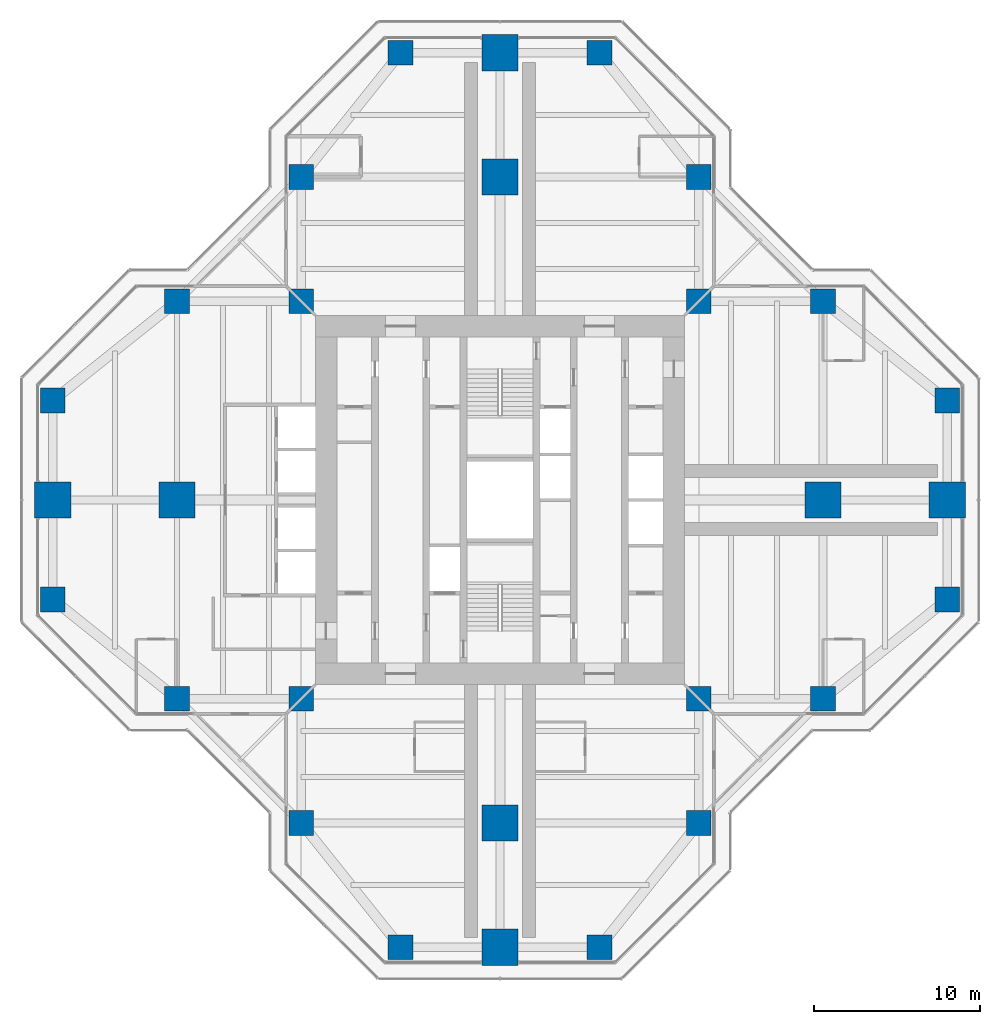
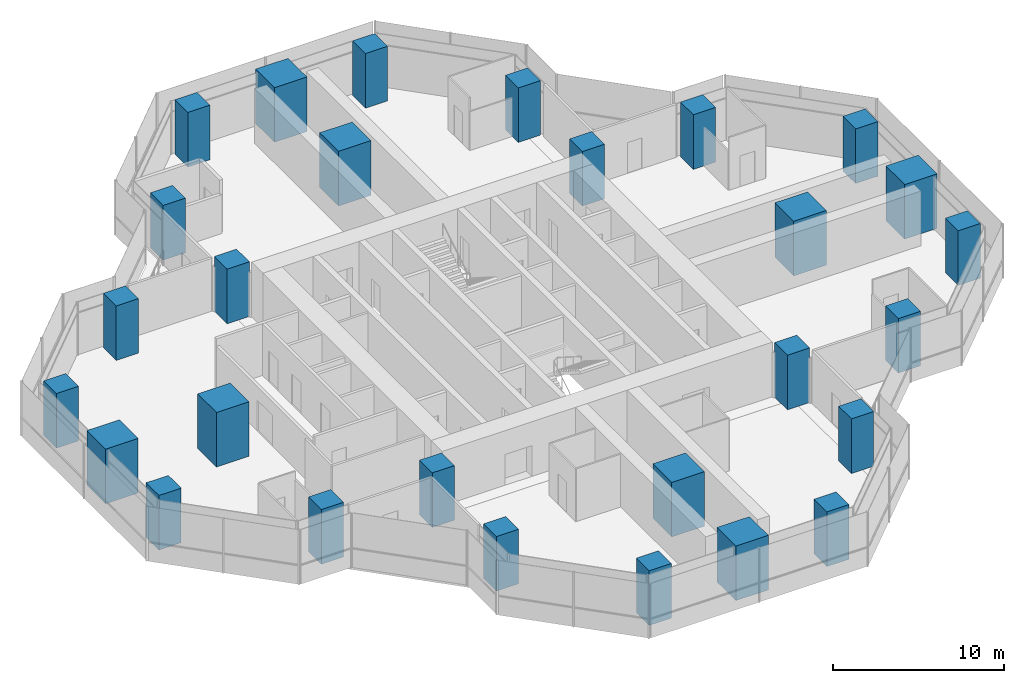
# One storey, part 1 of 17: 28 columns.
"""IFC4 building model written with IfcOpenShell, lengths in metres."""

import ifcopenshell
import ifcopenshell.guid

model = None  # the IFC model being written
_history = None  # IfcOwnerHistory: only IFC2X3 demands one
_inside = {}  # id of a spatial element -> (the spatial element, [elements in it])
_under = {}  # id of a project, library or spatial element -> (it, [spatial elements below it])
_declared = {}  # id of a project -> (the project, [libraries it declares])
_typed = {}  # id of a type object -> (the type object, [elements of that type])
_made_of = {}  # id of a material, layer set ... -> (it, [elements and type objects made of it])


def new_model(schema):
    """Start an empty IFC model of exactly this schema.

    Asked for "IFC4X3", IfcOpenShell would pick the latest addendum, in which some entities
    have other attributes; the version numbers below select the first issue.
    IFC2X3 requires an IfcOwnerHistory on every rooted entity: one is made here for all.
    """
    global model, _history
    if schema == "IFC4X3":
        model = ifcopenshell.file(schema_version=(4, 3, 0, 0))
    else:
        model = ifcopenshell.file(schema=schema)
    _inside.clear()
    _under.clear()
    _declared.clear()
    _typed.clear()
    _made_of.clear()
    _history = None
    if model.schema == "IFC2X3":
        org = make("IfcOrganization", Name="unknown")
        user = make(
            "IfcPersonAndOrganization",
            ThePerson=make("IfcPerson", FamilyName="unknown"),
            TheOrganization=org,
        )
        app = make(
            "IfcApplication",
            ApplicationDeveloper=org,
            Version="unknown",
            ApplicationFullName="unknown",
            ApplicationIdentifier="unknown",
        )
        _history = make(
            "IfcOwnerHistory",
            OwningUser=user,
            OwningApplication=app,
            ChangeAction="ADDED",
            CreationDate=0,
        )
    return model


def make(cls, **values):
    """One entity of the class cls with the attributes given. An attribute that is None is left unset."""
    return model.create_entity(
        cls, **{name: value for name, value in values.items() if value is not None}
    )


def rooted(cls, **values):
    """An entity with a GlobalId (a new one), such as an element, a storey or a relation."""
    return make(cls, GlobalId=ifcopenshell.guid.new(), OwnerHistory=_history, **values)


def si_unit(unit_type, name, prefix=None):
    """IfcSIUnit, for example si_unit("LENGTHUNIT", "METRE", prefix="MILLI")."""
    return make("IfcSIUnit", UnitType=unit_type, Prefix=prefix, Name=name)


def assignment(units):
    """IfcUnitAssignment: the units of a project."""
    return None if units is None else make("IfcUnitAssignment", Units=units)


def point(xyz):
    """IfcCartesianPoint."""
    return None if xyz is None else make("IfcCartesianPoint", Coordinates=xyz)


def direction(xyz):
    """IfcDirection."""
    return None if xyz is None else make("IfcDirection", DirectionRatios=xyz)


def frame(location, z_axis=None, x_axis=None):
    """IfcAxis2Placement3D, a coordinate frame: its origin and axes. An axis left out is left unset."""
    return make(
        "IfcAxis2Placement3D",
        Location=point(location),
        Axis=direction(z_axis),
        RefDirection=direction(x_axis),
    )


def frame_2d(location, x_axis=None):
    """IfcAxis2Placement2D, a coordinate frame in the plane: its origin and x axis."""
    return make(
        "IfcAxis2Placement2D", Location=point(location), RefDirection=direction(x_axis)
    )


def origin():
    """The frame at (0, 0, 0) with its axes left unset."""
    return frame((0.0, 0.0, 0.0))


def origin_2d():
    """The frame at (0, 0) in the plane with its x axis left unset."""
    return frame_2d((0.0, 0.0))


def place(relative_to, where):
    """IfcLocalPlacement: puts the frame where relative to a parent placement (None: the world)."""
    return make(
        "IfcLocalPlacement", PlacementRelTo=relative_to, RelativePlacement=where
    )


def context(
    kind, dimensions, precision=None, world=None, true_north=None, identifier=None
):
    """IfcGeometricRepresentationContext, for example the 3D "Model" context."""
    return make(
        "IfcGeometricRepresentationContext",
        ContextIdentifier=identifier,
        ContextType=kind,
        CoordinateSpaceDimension=dimensions,
        Precision=precision,
        WorldCoordinateSystem=world,
        TrueNorth=true_north,
    )


def subcontext(parent, identifier, kind, view, scale=None):
    """IfcGeometricRepresentationSubContext, for example "Body" below "Model"."""
    return make(
        "IfcGeometricRepresentationSubContext",
        ContextIdentifier=identifier,
        ContextType=kind,
        ParentContext=parent,
        TargetScale=scale,
        TargetView=view,
    )


def project(units=None, contexts=None):
    """IfcProject with its units and contexts."""
    return rooted(
        "IfcProject",
        Name="project",
        RepresentationContexts=contexts,
        UnitsInContext=assignment(units),
    )


def spatial(cls, under=None, at=None, **own):
    """A site, building, storey or space (cls), placed at a placement, below another one or the project."""
    s = rooted(cls, ObjectPlacement=at, **own)
    if under is not None:
        _under.setdefault(under.id(), (under, []))[1].append(s)
    return s


def profile(cls, at=None, kind="AREA", **sizes):
    """A parametric profile (cls). Its sizes go by their IFC names, for example OverallWidth=200.0."""
    return make(cls, ProfileType=kind, Position=at, **sizes)


def rectangle(**sizes):
    """IfcRectangleProfileDef."""
    return profile("IfcRectangleProfileDef", **sizes)


def extrude(swept, where, along, depth):
    """IfcExtrudedAreaSolid: the profile swept, set in the frame where, extruded along a direction by depth."""
    return make(
        "IfcExtrudedAreaSolid",
        SweptArea=swept,
        Position=where,
        ExtrudedDirection=direction(along),
        Depth=depth,
    )


def shape(context_of_items, identifier, shape_type, items):
    """IfcShapeRepresentation: the items that make up one representation, for example the "Body"."""
    return make(
        "IfcShapeRepresentation",
        ContextOfItems=context_of_items,
        RepresentationIdentifier=identifier,
        RepresentationType=shape_type,
        Items=items,
    )


def material(Name=None, Category=None):
    """IfcMaterial."""
    return make("IfcMaterial", Name=Name, Category=Category)


def material_profile(
    of_material, cross_section, Name=None, Category=None, Priority=None
):
    """IfcMaterialProfile: a cross section and its material."""
    return make(
        "IfcMaterialProfile",
        Name=Name,
        Material=of_material,
        Profile=cross_section,
        Priority=Priority,
        Category=Category,
    )


def profile_set(profiles, Name=None, composite=None):
    """IfcMaterialProfileSet."""
    return make(
        "IfcMaterialProfileSet",
        Name=Name,
        MaterialProfiles=profiles,
        CompositeProfile=composite,
    )


def made_of(thing, what):
    """Note that an element or type object is made of a material, layer set ...; save() writes the relation."""
    if what is not None:
        _made_of.setdefault(what.id(), (what, []))[1].append(thing)
    return thing


def type_object(cls, material=None, **own):
    """A type object (cls), such as IfcWallType, which elements share."""
    return made_of(rooted(cls, **own), material)


def element(
    cls,
    number,
    at=None,
    inside=None,
    cuts=None,
    type_object=None,
    material=None,
    context=None,
    identifier="Body",
    shape_type=None,
    held_by="IfcProductDefinitionShape",
    body=None,
    shapes=None,
    **own,
):
    """One element of the class cls, such as IfcWall. Its Tag is "e" and its number.

    at: its placement. inside: the storey or other place that contains it. cuts: it is an
    opening in that element (IfcRelVoidsElement). A single representation is given by context,
    identifier, shape_type and body (its items); several are given by shapes. held_by: the class
    of the entity that holds the representations. save() writes the other relations.
    """
    e = rooted(cls, Tag="e%d" % number, ObjectPlacement=at, **own)
    if body is not None:
        shapes = [shape(context, identifier, shape_type, body)]
    if shapes is not None:
        e.Representation = make(held_by, Representations=shapes)
    if inside is not None:
        _inside.setdefault(inside.id(), (inside, []))[1].append(e)
    if cuts is not None:
        rooted(
            "IfcRelVoidsElement", RelatingBuildingElement=cuts, RelatedOpeningElement=e
        )
    if type_object is not None:
        _typed.setdefault(type_object.id(), (type_object, []))[1].append(e)
    return made_of(e, material)


def aggregate(whole, parts):
    """IfcRelAggregates: a whole, such as a stair, and the parts it consists of."""
    return rooted("IfcRelAggregates", RelatingObject=whole, RelatedObjects=parts)


def save(model, path):
    """Write the relations noted so far, then the file.

    IfcRelAggregates (storeys below a building ...), IfcRelContainedInSpatialStructure (elements
    in a storey), IfcRelDefinesByType, IfcRelAssociatesMaterial and IfcRelDeclares: one each for
    every whole, place, type object, material and project.
    """
    for whole, parts in _under.values():
        aggregate(whole, parts)
    for where, things in _inside.values():
        rooted(
            "IfcRelContainedInSpatialStructure",
            RelatedElements=things,
            RelatingStructure=where,
        )
    for kind, things in _typed.values():
        rooted("IfcRelDefinesByType", RelatedObjects=things, RelatingType=kind)
    for what, things in _made_of.values():
        rooted("IfcRelAssociatesMaterial", RelatedObjects=things, RelatingMaterial=what)
    for by, libraries in _declared.values():
        rooted("IfcRelDeclares", RelatingContext=by, RelatedDefinitions=libraries)
    model.write(path)


model = new_model("IFC4")

# Units and contexts
model_context = context("Model", 3, precision=1e-05, world=origin(), true_north=direction((0.0, 1.0)))
body_context = subcontext(model_context, "Body", "Model", "MODEL_VIEW")
ifc_project = project(units=[si_unit("LENGTHUNIT", "METRE"), si_unit("AREAUNIT", "SQUARE_METRE"), si_unit("VOLUMEUNIT", "CUBIC_METRE"), si_unit("PLANEANGLEUNIT", "RADIAN"), si_unit("MASSUNIT", "GRAM", prefix="KILO")], contexts=[model_context])

# Site, building, storey
site_placement = place(None, origin())
site = spatial("IfcSite", under=ifc_project, at=site_placement, CompositionType="ELEMENT")
building_placement = place(site_placement, origin())
building = spatial("IfcBuilding", under=site, at=building_placement, Name="Mizan Broadcast Tower", CompositionType="ELEMENT")
storey_placement = place(building_placement, frame((0.0, 0.0, 251.699951171875)))
storey = spatial("IfcBuildingStorey", under=building, at=storey_placement, Name="L59", CompositionType="ELEMENT", Elevation=251.699951171875)

# Columns
ifc_material_1 = material(Name="Concrete C70/85", Category="concrete")
ifc_material_profile_1 = material_profile(ifc_material_1, rectangle(XDim=1.5, YDim=1.5, at=origin_2d()), Name="RC 1500x1500")
ifc_profile_set_1 = profile_set([ifc_material_profile_1], Name="Concrete C70/85")
column_type_1 = type_object("IfcColumnType", Name="RC COLUMN 1500x1500 C70/85", PredefinedType="COLUMN", material=ifc_profile_set_1)
for number, where, z_axis, x_axis, name in (
    (1, (-6.0, -27.0, 0.0), (0.0, 0.0, 1.0), (1.0, 0.0, 0.0), "Column 5/B L59"),
    (2, (6.0, -27.0, 0.0), (0.0, 0.0, 1.0), (1.0, 0.0, 0.0), "Column 7/B L59"),
    (3, (-12.0, -19.5, 0.0), (0.0, 0.0, 1.0), (1.0, 0.0, 0.0), "Column 4/C L59"),
    (4, (12.0, -19.5, 0.0), (0.0, 0.0, 1.0), (1.0, 0.0, 0.0), "Column 8/C L59"),
    (5, (-19.5, -12.0, 0.0), (0.0, 0.0, 1.0), (1.0, 0.0, 0.0), "Column 3/D L59"),
    (6, (-12.0, -12.0, 0.0), (0.0, 0.0, 1.0), (1.0, 0.0, 0.0), "Column 4/D L59"),
    (7, (12.0, -12.0, 0.0), (0.0, 0.0, 1.0), (1.0, 0.0, 0.0), "Column 8/D L59"),
    (8, (19.5, -12.0, 0.0), (0.0, 0.0, 1.0), (1.0, 0.0, 0.0), "Column 9/D L59"),
    (9, (-27.0, -6.0, 0.0), (0.0, 0.0, 1.0), (1.0, 0.0, 0.0), "Column 2/E L59"),
    (10, (27.0, -6.0, 0.0), (0.0, 0.0, 1.0), (1.0, 0.0, 0.0), "Column 10/E L59"),
    (11, (-27.0, 6.0, 0.0), (0.0, 0.0, 1.0), (1.0, 0.0, 0.0), "Column 2/G L59"),
    (12, (27.0, 6.0, 0.0), (0.0, 0.0, 1.0), (1.0, 0.0, 0.0), "Column 10/G L59"),
    (13, (-19.5, 12.0, 0.0), (0.0, 0.0, 1.0), (1.0, 0.0, 0.0), "Column 3/H L59"),
    (14, (-12.0, 12.0, 0.0), (0.0, 0.0, 1.0), (1.0, 0.0, 0.0), "Column 4/H L59"),
    (15, (12.0, 12.0, 0.0), (0.0, 0.0, 1.0), (1.0, 0.0, 0.0), "Column 8/H L59"),
    (16, (19.5, 12.0, 0.0), (0.0, 0.0, 1.0), (1.0, 0.0, 0.0), "Column 9/H L59"),
    (17, (-12.0, 19.5, 0.0), (0.0, 0.0, 1.0), (1.0, 0.0, 0.0), "Column 4/J L59"),
    (18, (12.0, 19.5, 0.0), (0.0, 0.0, 1.0), (1.0, 0.0, 0.0), "Column 8/J L59"),
    (19, (-6.0, 27.0, 0.0), (0.0, 0.0, 1.0), (1.0, 0.0, 0.0), "Column 5/K L59"),
    (20, (6.0, 27.0, 0.0), (0.0, 0.0, 1.0), (1.0, 0.0, 0.0), "Column 7/K L59"),
):
    element("IfcColumn", number, at=place(storey_placement, frame(where, z_axis=z_axis, x_axis=x_axis)), inside=storey, type_object=column_type_1, Name=name, PredefinedType="COLUMN", context=body_context, shape_type="SweptSolid", body=[
        extrude(rectangle(XDim=1.5, YDim=1.5, at=origin_2d()), origin(), (0.0, 0.0, 1.0), 3.900146484375),
    ])
ifc_material_2 = material(Name="Concrete C70/85", Category="concrete")
ifc_material_profile_2 = material_profile(ifc_material_2, rectangle(XDim=2.199951171875, YDim=2.199951171875, at=origin_2d()), Name="RC 2200x2200")
ifc_profile_set_2 = profile_set([ifc_material_profile_2], Name="Concrete C70/85")
column_type_2 = type_object("IfcColumnType", Name="RC COLUMN 2200x2200 C70/85", PredefinedType="COLUMN", material=ifc_profile_set_2)
for number, where, z_axis, x_axis, name in (
    (21, (0.0, -27.0, 0.0), (0.0, 0.0, 1.0), (1.0, 0.0, 0.0), "Column 6/B L59"),
    (22, (0.0, -19.5, 0.0), (0.0, 0.0, 1.0), (1.0, 0.0, 0.0), "Column 6/C L59"),
    (23, (-27.0, 0.0, 0.0), (0.0, 0.0, 1.0), (1.0, 0.0, 0.0), "Column 2/F L59"),
    (24, (-19.5, 0.0, 0.0), (0.0, 0.0, 1.0), (1.0, 0.0, 0.0), "Column 3/F L59"),
    (25, (19.5, 0.0, 0.0), (0.0, 0.0, 1.0), (1.0, 0.0, 0.0), "Column 9/F L59"),
    (26, (27.0, 0.0, 0.0), (0.0, 0.0, 1.0), (1.0, 0.0, 0.0), "Column 10/F L59"),
    (27, (0.0, 19.5, 0.0), (0.0, 0.0, 1.0), (1.0, 0.0, 0.0), "Column 6/J L59"),
    (28, (0.0, 27.0, 0.0), (0.0, 0.0, 1.0), (1.0, 0.0, 0.0), "Column 6/K L59"),
):
    element("IfcColumn", number, at=place(storey_placement, frame(where, z_axis=z_axis, x_axis=x_axis)), inside=storey, type_object=column_type_2, Name=name, PredefinedType="COLUMN", context=body_context, shape_type="SweptSolid", body=[
        extrude(rectangle(XDim=2.199951171875, YDim=2.199951171875, at=origin_2d()), origin(), (0.0, 0.0, 1.0), 3.900146484375),
    ])

save(model, "model.ifc")
